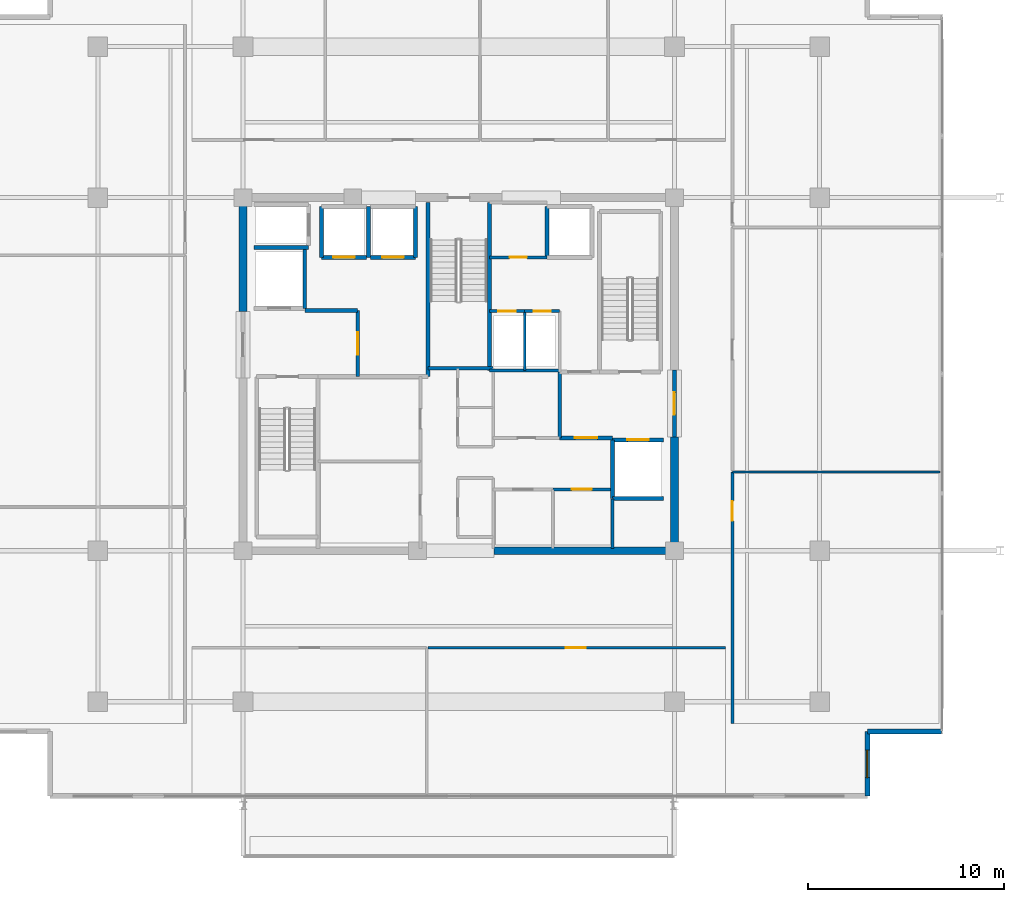
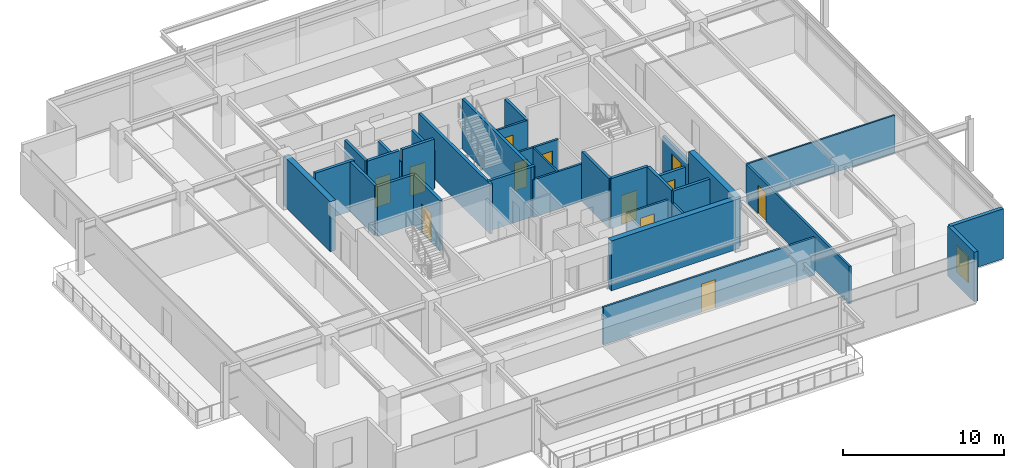
# One storey, part 15 of 21: 34 walls, 12 doors, 1 window, 13 openings.
"""IFC4 building model written with IfcOpenShell, lengths in metres."""

from ifc_helpers import new_model, si_unit, direction, frame, frame_2d, origin, place, context, subcontext, project, spatial, rectangle, extrude, material, layer, layer_set, type_object, element, fill, save


model = new_model("IFC4")

# Units and contexts
model_context = context("Model", 3, precision=1e-05, world=origin(), true_north=direction((0.0, 1.0)))
body_context = subcontext(model_context, "Body", "Model", "MODEL_VIEW")
ifc_project = project(units=[si_unit("LENGTHUNIT", "METRE"), si_unit("AREAUNIT", "SQUARE_METRE"), si_unit("VOLUMEUNIT", "CUBIC_METRE"), si_unit("PLANEANGLEUNIT", "RADIAN"), si_unit("MASSUNIT", "GRAM", prefix="KILO")], contexts=[model_context])

# Site, building, storey
site_placement = place(None, origin())
site = spatial("IfcSite", under=ifc_project, at=site_placement, CompositionType="ELEMENT")
building_placement = place(site_placement, origin())
building = spatial("IfcBuilding", under=site, at=building_placement, Name="Kovane Verandah Tower", CompositionType="ELEMENT")
storey_placement = place(building_placement, frame((0.0, 0.0, 314.800048828125)))
storey = spatial("IfcBuildingStorey", under=building, at=storey_placement, Name="L73", CompositionType="ELEMENT", Elevation=314.800048828125)

# Walls
ifc_material_1 = material(Name="Fire-Rated Gypsum Stud Partition", Category="gypsum")
ifc_layer_1 = layer(ifc_material_1, 0.14990234375)
ifc_layer_set_1 = layer_set([ifc_layer_1], Name="Fire-Rated Gypsum Stud Partition")
wall_type_1 = type_object("IfcWallType", Name="WL-COR-150", PredefinedType="PARTITIONING", material=ifc_layer_set_1)
wall_1_placement = place(storey_placement, frame((41.56005859375, 27.679931640625, 0.0), z_axis=(0.0, 0.0, 1.0), x_axis=(1.0, 0.0, 0.0)))
element("IfcWall", 1, at=wall_1_placement, inside=storey, type_object=wall_type_1, Name="L73 East Core Service Riser South Wall", PredefinedType="PARTITIONING", context=body_context, shape_type="SweptSolid", body=[
    extrude(rectangle(XDim=3.58984375, YDim=0.14990234375, at=frame_2d((1.794921875, 0.0))), origin(), (0.0, 0.0, 1.0), 2.849853515625),
])
wall_2_placement = place(storey_placement, frame((47.85009765625, 18.60009765625, 0.0), z_axis=(0.0, 0.0, 1.0), x_axis=(0.0, 1.0, 0.0)))
element("IfcWall", 2, at=wall_2_placement, inside=storey, type_object=wall_type_1, Name="L73 East Core Support East Wall", PredefinedType="PARTITIONING", context=body_context, shape_type="SweptSolid", body=[
    extrude(rectangle(XDim=2.539794921875, YDim=0.14990234375, at=frame_2d((1.27001953125, 0.0))), origin(), (0.0, 0.0, 1.0), 2.849853515625),
])

# Wall, opening, door
wall_3_placement = place(storey_placement, frame((44.800048828125, 21.6201171875, 0.0), z_axis=(0.0, 0.0, 1.0), x_axis=(1.0, 0.0, 0.0)))
wall_3 = element("IfcWall", 3, at=wall_3_placement, inside=storey, type_object=wall_type_1, Name="L73 East IT Server Room Partition", PredefinedType="PARTITIONING", context=body_context, shape_type="SweptSolid", body=[
    extrude(rectangle(XDim=2.93994140625, YDim=0.14990234375, at=frame_2d((1.469970703125, 0.0))), origin(), (0.0, 0.0, 1.0), 2.849853515625),
])
opening_1_placement = place(wall_3_placement, frame((0.969970703125, 0.0, 0.0)))
opening_1 = element("IfcOpeningElement", 4, at=opening_1_placement, cuts=wall_3, Name="Opening DR-L73-017", PredefinedType="OPENING", context=body_context, shape_type="SweptSolid", body=[
    extrude(rectangle(XDim=1.0, YDim=2.14990234375, at=frame_2d((0.5, 1.074951171875))), frame((0.0, 0.074951171875, 0.0), z_axis=(0.0, -1.0, 0.0), x_axis=(1.0, 0.0, 0.0)), (0.0, 0.0, 1.0), 0.14990234375),
])
ifc_material_2 = material(Name="FSC Spotted-Gum Timber Fire-Rated Office Door", Category="wood")
door_type_1 = type_object("IfcDoorType", Name="DR-OFF-1000", OperationType="SINGLE_SWING_LEFT", PredefinedType="DOOR", material=ifc_material_2)
door_1_placement = place(opening_1_placement, origin())
door_1 = element("IfcDoor", 5, at=door_1_placement, inside=storey, type_object=door_type_1, Name="L73 East IT Server Room Door", OperationType="SINGLE_SWING_LEFT", OverallHeight=2.14990234375, OverallWidth=1.0, PredefinedType="DOOR", context=body_context, shape_type="SweptSolid", body=[
    extrude(rectangle(XDim=1.0, YDim=2.14990234375, at=frame_2d((0.5, 1.074951171875))), frame((0.0, 0.02490234375, 0.0), z_axis=(0.0, -1.0, 0.0), x_axis=(1.0, 0.0, 0.0)), (0.0, 0.0, 1.0), 0.050048828125),
])
fill(opening_1, door_1)

wall_4_placement = place(storey_placement, frame((41.56005859375, 30.719970703125, 0.0), z_axis=(0.0, 0.0, 1.0), x_axis=(1.0, 0.0, 0.0)))
wall_4 = element("IfcWall", 6, at=wall_4_placement, inside=storey, type_object=wall_type_1, Name="L73 Chilled Water Riser Room Partition", PredefinedType="PARTITIONING", context=body_context, shape_type="SweptSolid", body=[
    extrude(rectangle(XDim=1.800048828125, YDim=0.14990234375, at=frame_2d((0.89990234375, 0.0))), origin(), (0.0, 0.0, 1.0), 2.849853515625),
])
opening_2_placement = place(wall_4_placement, frame((0.4599609375, 0.0, 0.0)))
opening_2 = element("IfcOpeningElement", 7, at=opening_2_placement, cuts=wall_4, Name="Opening DR-L73-020", PredefinedType="OPENING", context=body_context, shape_type="SweptSolid", body=[
    extrude(rectangle(XDim=0.8798828125, YDim=2.10009765625, at=frame_2d((0.43994140625, 1.050048828125))), frame((0.0, 0.074951171875, 0.0), z_axis=(0.0, -1.0, 0.0), x_axis=(1.0, 0.0, 0.0)), (0.0, 0.0, 1.0), 0.14990234375),
])
ifc_material_3 = material(Name="Fire-Rated Steel Riser Access Door", Category="steel")
door_type_2 = type_object("IfcDoorType", Name="DR-RISER-880", OperationType="SINGLE_SWING_LEFT", PredefinedType="DOOR", material=ifc_material_3)
door_2_placement = place(opening_2_placement, origin())
door_2 = element("IfcDoor", 8, at=door_2_placement, inside=storey, type_object=door_type_2, Name="L73 Chilled Water Riser Room Door", OperationType="SINGLE_SWING_LEFT", OverallHeight=2.10009765625, OverallWidth=0.8798828125, PredefinedType="DOOR", context=body_context, shape_type="SweptSolid", body=[
    extrude(rectangle(XDim=0.8798828125, YDim=2.10009765625, at=frame_2d((0.43994140625, 1.050048828125))), frame((0.0, 0.02490234375, 0.0), z_axis=(0.0, -1.0, 0.0), x_axis=(1.0, 0.0, 0.0)), (0.0, 0.0, 1.0), 0.050048828125),
])
fill(opening_2, door_2)

wall_5_placement = place(storey_placement, frame((43.360107421875, 30.719970703125, 0.0), z_axis=(0.0, 0.0, 1.0), x_axis=(1.0, 0.0, 0.0)))
wall_5 = element("IfcWall", 9, at=wall_5_placement, inside=storey, type_object=wall_type_1, Name="L73 Smoke Extract Duct Room Partition", PredefinedType="PARTITIONING", context=body_context, shape_type="SweptSolid", body=[
    extrude(rectangle(XDim=1.789794921875, YDim=0.14990234375, at=frame_2d((0.89501953125, 0.0))), origin(), (0.0, 0.0, 1.0), 2.849853515625),
])
opening_3_placement = place(wall_5_placement, frame((0.455078125, 0.0, 0.0)))
opening_3 = element("IfcOpeningElement", 10, at=opening_3_placement, cuts=wall_5, Name="Opening DR-L73-021", PredefinedType="OPENING", context=body_context, shape_type="SweptSolid", body=[
    extrude(rectangle(XDim=0.8798828125, YDim=2.10009765625, at=frame_2d((0.43994140625, 1.050048828125))), frame((0.0, 0.074951171875, 0.0), z_axis=(0.0, -1.0, 0.0), x_axis=(1.0, 0.0, 0.0)), (0.0, 0.0, 1.0), 0.14990234375),
])
door_3_placement = place(opening_3_placement, origin())
door_3 = element("IfcDoor", 11, at=door_3_placement, inside=storey, type_object=door_type_2, Name="L73 Smoke Extract Duct Room Door", OperationType="SINGLE_SWING_RIGHT", OverallHeight=2.10009765625, OverallWidth=0.8798828125, PredefinedType="DOOR", context=body_context, shape_type="SweptSolid", body=[
    extrude(rectangle(XDim=0.8798828125, YDim=2.10009765625, at=frame_2d((0.43994140625, 1.050048828125))), frame((0.0, 0.02490234375, 0.0), z_axis=(0.0, -1.0, 0.0), x_axis=(1.0, 0.0, 0.0)), (0.0, 0.0, 1.0), 0.050048828125),
])
fill(opening_3, door_3)

wall_6_placement = place(storey_placement, frame((41.56005859375, 33.449951171875, 0.0), z_axis=(0.0, 0.0, 1.0), x_axis=(1.0, 0.0, 0.0)))
wall_6 = element("IfcWall", 12, at=wall_6_placement, inside=storey, type_object=wall_type_1, Name="L73 Sky Telecom Riser Room Partition", PredefinedType="PARTITIONING", context=body_context, shape_type="SweptSolid", body=[
    extrude(rectangle(XDim=2.93994140625, YDim=0.14990234375, at=frame_2d((1.469970703125, 0.0))), origin(), (0.0, 0.0, 1.0), 2.849853515625),
])
opening_4_placement = place(wall_6_placement, frame((1.030029296875, 0.0, 0.0)))
opening_4 = element("IfcOpeningElement", 13, at=opening_4_placement, cuts=wall_6, Name="Opening DR-L73-019", PredefinedType="OPENING", context=body_context, shape_type="SweptSolid", body=[
    extrude(rectangle(XDim=0.8798828125, YDim=2.10009765625, at=frame_2d((0.43994140625, 1.050048828125))), frame((0.0, 0.074951171875, 0.0), z_axis=(0.0, -1.0, 0.0), x_axis=(1.0, 0.0, 0.0)), (0.0, 0.0, 1.0), 0.14990234375),
])
door_4_placement = place(opening_4_placement, origin())
door_4 = element("IfcDoor", 14, at=door_4_placement, inside=storey, type_object=door_type_2, Name="L73 Sky Telecom Riser Room Door", OperationType="SINGLE_SWING_LEFT", OverallHeight=2.10009765625, OverallWidth=0.8798828125, PredefinedType="DOOR", context=body_context, shape_type="SweptSolid", body=[
    extrude(rectangle(XDim=0.8798828125, YDim=2.10009765625, at=frame_2d((0.43994140625, 1.050048828125))), frame((0.0, 0.02490234375, 0.0), z_axis=(0.0, -1.0, 0.0), x_axis=(1.0, 0.0, 0.0)), (0.0, 0.0, 1.0), 0.050048828125),
])
fill(opening_4, door_4)

wall_7_placement = place(storey_placement, frame((38.43798828125, 13.550048828125, 0.0), z_axis=(0.0, 0.0, 1.0), x_axis=(1.0, 0.0, 0.0)))
wall_7 = element("IfcWall", 15, at=wall_7_placement, inside=storey, type_object=wall_type_1, Name="L73 Document and Print Room S2 Corridor Partition", PredefinedType="PARTITIONING", context=body_context, shape_type="SweptSolid", body=[
    extrude(rectangle(XDim=15.162109375, YDim=0.14990234375, at=frame_2d((7.5810546875, 0.0))), origin(), (0.0, 0.0, 1.0), 2.849853515625),
])
opening_5_placement = place(wall_7_placement, frame((7.031005859375, 0.0, 0.0)))
opening_5 = element("IfcOpeningElement", 16, at=opening_5_placement, cuts=wall_7, Name="Opening DR-L73-027", PredefinedType="OPENING", context=body_context, shape_type="SweptSolid", body=[
    extrude(rectangle(XDim=1.0, YDim=2.14990234375, at=frame_2d((0.5, 1.074951171875))), frame((0.0, 0.074951171875, 0.0), z_axis=(0.0, -1.0, 0.0), x_axis=(1.0, 0.0, 0.0)), (0.0, 0.0, 1.0), 0.14990234375),
])
door_5_placement = place(opening_5_placement, origin())
door_5 = element("IfcDoor", 17, at=door_5_placement, inside=storey, type_object=door_type_1, Name="L73 Document and Print Room S2 Entrance Door", OperationType="SINGLE_SWING_LEFT", OverallHeight=2.14990234375, OverallWidth=1.0, PredefinedType="DOOR", context=body_context, shape_type="SweptSolid", body=[
    extrude(rectangle(XDim=1.0, YDim=2.14990234375, at=frame_2d((0.5, 1.074951171875))), frame((0.0, 0.02490234375, 0.0), z_axis=(0.0, -1.0, 0.0), x_axis=(1.0, 0.0, 0.0)), (0.0, 0.0, 1.0), 0.050048828125),
])
fill(opening_5, door_5)

wall_8_placement = place(storey_placement, frame((53.949951171875, 9.681884765625, 0.0), z_axis=(0.0, 0.0, 1.0), x_axis=(0.0, 1.0, 0.0)))
wall_8 = element("IfcWall", 18, at=wall_8_placement, inside=storey, type_object=wall_type_1, Name="L73 Meeting Room E1 Corridor Partition", PredefinedType="PARTITIONING", context=body_context, shape_type="SweptSolid", body=[
    extrude(rectangle(XDim=12.8291015625, YDim=0.14990234375, at=frame_2d((6.41455078125, 0.0))), origin(), (0.0, 0.0, 1.0), 2.849853515625),
])
opening_6_placement = place(wall_8_placement, frame((10.338623046875, 0.0, 0.0)))
opening_6 = element("IfcOpeningElement", 19, at=opening_6_placement, cuts=wall_8, Name="Opening DR-L73-011", PredefinedType="OPENING", context=body_context, shape_type="SweptSolid", body=[
    extrude(rectangle(XDim=1.0, YDim=2.14990234375, at=frame_2d((0.5, 1.074951171875))), frame((0.0, 0.074951171875, 0.0), z_axis=(0.0, -1.0, 0.0), x_axis=(1.0, 0.0, 0.0)), (0.0, 0.0, 1.0), 0.14990234375),
])
door_6_placement = place(opening_6_placement, origin())
door_6 = element("IfcDoor", 20, at=door_6_placement, inside=storey, type_object=door_type_1, Name="L73 Meeting Room E1 Entrance Door", OperationType="SINGLE_SWING_LEFT", OverallHeight=2.14990234375, OverallWidth=1.0, PredefinedType="DOOR", context=body_context, shape_type="SweptSolid", body=[
    extrude(rectangle(XDim=1.0, YDim=2.14990234375, at=frame_2d((0.5, 1.074951171875))), frame((0.0, 0.02490234375, 0.0), z_axis=(0.0, -1.0, 0.0), x_axis=(1.0, 0.0, 0.0)), (0.0, 0.0, 1.0), 0.050048828125),
])
fill(opening_6, door_6)

# Walls
ifc_material_4 = material(Name="Concrete C60/75", Category="concrete")
ifc_layer_2 = layer(ifc_material_4, 0.39990234375)
ifc_layer_set_2 = layer_set([ifc_layer_2], Name="Concrete C60/75")
wall_type_2 = type_object("IfcWallType", Name="WL-CORE-400", PredefinedType="SHEAR", material=ifc_layer_set_2)
wall_9_placement = place(storey_placement, frame((41.800048828125, 18.5, 0.0), z_axis=(0.0, 0.0, 1.0), x_axis=(1.0, 0.0, 0.0)))
element("IfcWall", 21, at=wall_9_placement, inside=storey, type_object=wall_type_2, Name="L73 Core Shear Wall CS-2", PredefinedType="SHEAR", context=body_context, shape_type="SweptSolid", body=[
    extrude(rectangle(XDim=9.199951171875, YDim=0.39990234375, at=frame_2d((4.60009765625, 0.0))), origin(), (0.0, 0.0, 1.0), 3.784912109375),
])
for number, where, z_axis, x_axis, name in (
    (22, (29.0, 30.699951171875, 0.0), (0.0, 0.0, 1.0), (0.0, 1.0, 0.0), "L73 Core Shear Wall CW-2"),
    (23, (51.0, 18.5, 0.0), (0.0, 0.0, 1.0), (0.0, 1.0, 0.0), "L73 Core Shear Wall CE-1"),
):
    element("IfcWall", number, at=place(storey_placement, frame(where, z_axis=z_axis, x_axis=x_axis)), inside=storey, type_object=wall_type_2, Name=name, PredefinedType="SHEAR", context=body_context, shape_type="SweptSolid", body=[
        extrude(rectangle(XDim=5.800048828125, YDim=0.39990234375, at=frame_2d((2.89990234375, 0.0))), origin(), (0.0, 0.0, 1.0), 3.784912109375),
    ])

# Wall, opening, door
ifc_material_5 = material(Name="Concrete C45/55 Fire Wall", Category="concrete")
ifc_layer_3 = layer(ifc_material_5, 0.199951171875)
ifc_layer_set_3 = layer_set([ifc_layer_3], Name="Concrete C45/55 Fire Wall")
wall_type_3 = type_object("IfcWallType", Name="WL-FFL-200", PredefinedType="PARTITIONING", material=ifc_layer_set_3)
wall_10_placement = place(storey_placement, frame((34.85009765625, 27.3798828125, 0.0), z_axis=(0.0, 0.0, 1.0), x_axis=(0.0, 1.0, 0.0)))
wall_10 = element("IfcWall", 24, at=wall_10_placement, inside=storey, type_object=wall_type_3, Name="W-L73-FFLW-E", PredefinedType="PARTITIONING", context=body_context, shape_type="SweptSolid", body=[
    extrude(rectangle(XDim=3.3701171875, YDim=0.199951171875, at=frame_2d((1.68505859375, 0.0))), origin(), (0.0, 0.0, 1.0), 3.784912109375),
])
opening_7_placement = place(wall_10_placement, frame((1.110107421875, 0.0, 0.0)))
opening_7 = element("IfcOpeningElement", 25, at=opening_7_placement, cuts=wall_10, Name="Opening DR-L73-006", PredefinedType="OPENING", context=body_context, shape_type="SweptSolid", body=[
    extrude(rectangle(XDim=1.14990234375, YDim=2.199951171875, at=frame_2d((0.574951171875, 1.10009765625))), frame((0.0, 0.10009765625, 0.0), z_axis=(0.0, -1.0, 0.0), x_axis=(1.0, 0.0, 0.0)), (0.0, 0.0, 1.0), 0.199951171875),
])
ifc_material_6 = material(Name="Smoke-Sealed Firefighting Lobby Door", Category="steel")
door_type_3 = type_object("IfcDoorType", Name="DR-FFL-1150", OperationType="SINGLE_SWING_LEFT", PredefinedType="DOOR", material=ifc_material_6)
door_7_placement = place(opening_7_placement, origin())
door_7 = element("IfcDoor", 26, at=door_7_placement, inside=storey, type_object=door_type_3, Name="L73 West Firefighting Lobby Inner Door", OperationType="SINGLE_SWING_LEFT", OverallHeight=2.199951171875, OverallWidth=1.14990234375, PredefinedType="DOOR", context=body_context, shape_type="SweptSolid", body=[
    extrude(rectangle(XDim=1.14990234375, YDim=2.199951171875, at=frame_2d((0.574951171875, 1.10009765625))), frame((0.0, 0.02490234375, 0.0), z_axis=(0.0, -1.0, 0.0), x_axis=(1.0, 0.0, 0.0)), (0.0, 0.0, 1.0), 0.050048828125),
])
fill(opening_7, door_7)

# Walls
wall_11_placement = place(storey_placement, frame((32.14990234375, 30.75, 0.0), z_axis=(0.0, 0.0, 1.0), x_axis=(1.0, 0.0, 0.0)))
element("IfcWall", 27, at=wall_11_placement, inside=storey, type_object=wall_type_3, Name="L73 West Firefighting Lobby North Fire Wall", PredefinedType="PARTITIONING", context=body_context, shape_type="SweptSolid", body=[
    extrude(rectangle(XDim=2.7001953125, YDim=0.199951171875, at=frame_2d((1.35009765625, 0.0))), origin(), (0.0, 0.0, 1.0), 3.784912109375),
])
wall_12_placement = place(storey_placement, frame((45.14990234375, 24.25, 0.0), z_axis=(0.0, 0.0, 1.0), x_axis=(0.0, 1.0, 0.0)))
element("IfcWall", 28, at=wall_12_placement, inside=storey, type_object=wall_type_3, Name="L73 East Firefighting Lobby West Fire Wall", PredefinedType="PARTITIONING", context=body_context, shape_type="SweptSolid", body=[
    extrude(rectangle(XDim=3.3701171875, YDim=0.199951171875, at=frame_2d((1.68505859375, 0.0))), origin(), (0.0, 0.0, 1.0), 3.784912109375),
])

# Wall, opening, door
wall_13_placement = place(storey_placement, frame((45.14990234375, 24.25, 0.0), z_axis=(0.0, 0.0, 1.0), x_axis=(1.0, 0.0, 0.0)))
wall_13 = element("IfcWall", 29, at=wall_13_placement, inside=storey, type_object=wall_type_3, Name="W-L73-FFLE-S", PredefinedType="PARTITIONING", context=body_context, shape_type="SweptSolid", body=[
    extrude(rectangle(XDim=2.7001953125, YDim=0.199951171875, at=frame_2d((1.35009765625, 0.0))), origin(), (0.0, 0.0, 1.0), 3.784912109375),
])
opening_8_placement = place(wall_13_placement, frame((0.77490234375, 0.0, 0.0)))
opening_8 = element("IfcOpeningElement", 30, at=opening_8_placement, cuts=wall_13, Name="Opening DR-L73-003", PredefinedType="OPENING", context=body_context, shape_type="SweptSolid", body=[
    extrude(rectangle(XDim=1.14990234375, YDim=2.199951171875, at=frame_2d((0.574951171875, 1.10009765625))), frame((0.0, 0.10009765625, 0.0), z_axis=(0.0, -1.0, 0.0), x_axis=(1.0, 0.0, 0.0)), (0.0, 0.0, 1.0), 0.199951171875),
])
door_8_placement = place(opening_8_placement, origin())
door_8 = element("IfcDoor", 31, at=door_8_placement, inside=storey, type_object=door_type_3, Name="L73 East Firefighting Lobby Inner Door", OperationType="SINGLE_SWING_RIGHT", OverallHeight=2.199951171875, OverallWidth=1.14990234375, PredefinedType="DOOR", context=body_context, shape_type="SweptSolid", body=[
    extrude(rectangle(XDim=1.14990234375, YDim=2.199951171875, at=frame_2d((0.574951171875, 1.10009765625))), frame((0.0, 0.02490234375, 0.0), z_axis=(0.0, -1.0, 0.0), x_axis=(1.0, 0.0, 0.0)), (0.0, 0.0, 1.0), 0.050048828125),
])
fill(opening_8, door_8)

wall_14_placement = place(storey_placement, frame((51.0, 24.300048828125, 0.0), z_axis=(0.0, 0.0, 1.0), x_axis=(0.0, 1.0, 0.0)))
wall_14 = element("IfcWall", 32, at=wall_14_placement, inside=storey, type_object=wall_type_3, Name="W-L73-FFLE-OUT", PredefinedType="PARTITIONING", context=body_context, shape_type="SweptSolid", body=[
    extrude(rectangle(XDim=3.39990234375, YDim=0.199951171875, at=frame_2d((1.699951171875, 0.0))), origin(), (0.0, 0.0, 1.0), 2.864990234375),
])
opening_9_placement = place(wall_14_placement, frame((1.125, 0.0, 0.0)))
opening_9 = element("IfcOpeningElement", 33, at=opening_9_placement, cuts=wall_14, Name="Opening DR-L73-005", PredefinedType="OPENING", context=body_context, shape_type="SweptSolid", body=[
    extrude(rectangle(XDim=1.14990234375, YDim=2.199951171875, at=frame_2d((0.574951171875, 1.10009765625))), frame((0.0, 0.10009765625, 0.0), z_axis=(0.0, -1.0, 0.0), x_axis=(1.0, 0.0, 0.0)), (0.0, 0.0, 1.0), 0.199951171875),
])
door_9_placement = place(opening_9_placement, origin())
door_9 = element("IfcDoor", 34, at=door_9_placement, inside=storey, type_object=door_type_3, Name="L73 East Firefighting Lobby Corridor Door", OperationType="SINGLE_SWING_LEFT", OverallHeight=2.199951171875, OverallWidth=1.14990234375, PredefinedType="DOOR", context=body_context, shape_type="SweptSolid", body=[
    extrude(rectangle(XDim=1.14990234375, YDim=2.199951171875, at=frame_2d((0.574951171875, 1.10009765625))), frame((0.0, 0.02490234375, 0.0), z_axis=(0.0, -1.0, 0.0), x_axis=(1.0, 0.0, 0.0)), (0.0, 0.0, 1.0), 0.050048828125),
])
fill(opening_9, door_9)

# Walls
ifc_material_7 = material(Name="Concrete C45/55 Lift Shaft Wall", Category="concrete")
ifc_layer_4 = layer(ifc_material_7, 0.199951171875)
ifc_layer_set_4 = layer_set([ifc_layer_4], Name="Concrete C45/55 Lift Shaft Wall")
wall_type_4 = type_object("IfcWallType", Name="WL-LIFT-200", PredefinedType="SOLIDWALL", material=ifc_layer_set_4)
wall_15_placement = place(storey_placement, frame((29.550048828125, 33.949951171875, 0.0), z_axis=(0.0, 0.0, 1.0), x_axis=(1.0, 0.0, 0.0)))
element("IfcWall", 35, at=wall_15_placement, inside=storey, type_object=wall_type_4, Name="L73 Lift FL-01 and GL-01 Shared Shaft Wall", PredefinedType="SOLIDWALL", context=body_context, shape_type="SweptSolid", body=[
    extrude(rectangle(XDim=2.800048828125, YDim=0.199951171875, at=frame_2d((1.39990234375, 0.0))), origin(), (0.0, 0.0, 1.0), 3.784912109375),
])
wall_16_placement = place(storey_placement, frame((32.14990234375, 30.85009765625, 0.0), z_axis=(0.0, 0.0, 1.0), x_axis=(0.0, 1.0, 0.0)))
element("IfcWall", 36, at=wall_16_placement, inside=storey, type_object=wall_type_4, Name="L73 Lift FL-01 E Shaft Wall", PredefinedType="SOLIDWALL", context=body_context, shape_type="SweptSolid", body=[
    extrude(rectangle(XDim=3.0, YDim=0.199951171875, at=frame_2d((1.5, 0.0))), origin(), (0.0, 0.0, 1.0), 3.784912109375),
])
wall_17_placement = place(storey_placement, frame((47.85009765625, 21.14990234375, 0.0), z_axis=(0.0, 0.0, 1.0), x_axis=(1.0, 0.0, 0.0)))
element("IfcWall", 37, at=wall_17_placement, inside=storey, type_object=wall_type_4, Name="L73 Lift FL-02 S Shaft Wall", PredefinedType="SOLIDWALL", context=body_context, shape_type="SweptSolid", body=[
    extrude(rectangle(XDim=2.599853515625, YDim=0.199951171875, at=frame_2d((1.2998046875, 0.0))), origin(), (0.0, 0.0, 1.0), 3.784912109375),
])

# Wall, opening, door
wall_18_placement = place(storey_placement, frame((50.449951171875, 24.14990234375, 0.0), z_axis=(0.0, 0.0, 1.0), x_axis=(-1.0, 0.0, 0.0)))
wall_18 = element("IfcWall", 38, at=wall_18_placement, inside=storey, type_object=wall_type_4, Name="L73 Lift FL-02 N Shaft Wall", PredefinedType="SOLIDWALL", context=body_context, shape_type="SweptSolid", body=[
    extrude(rectangle(XDim=2.599853515625, YDim=0.199951171875, at=frame_2d((1.2998046875, 0.0))), origin(), (0.0, 0.0, 1.0), 2.864990234375),
])
opening_10_placement = place(wall_18_placement, frame((0.75, 0.0, 0.0)))
opening_10 = element("IfcOpeningElement", 39, at=opening_10_placement, cuts=wall_18, Name="Opening LD-L73-002", PredefinedType="OPENING", context=body_context, shape_type="SweptSolid", body=[
    extrude(rectangle(XDim=1.10009765625, YDim=2.199951171875, at=frame_2d((0.550048828125, 1.10009765625))), frame((0.0, 0.10009765625, 0.0), z_axis=(0.0, -1.0, 0.0), x_axis=(1.0, 0.0, 0.0)), (0.0, 0.0, 1.0), 0.199951171875),
])
ifc_material_8 = material(Name="Brushed Stainless Steel Sliding Lift Landing Door", Category="steel")
door_type_4 = type_object("IfcDoorType", Name="DR-LIFT-1100", OperationType="SLIDING_TO_RIGHT", PredefinedType="DOOR", material=ifc_material_8)
door_10_placement = place(opening_10_placement, origin())
door_10 = element("IfcDoor", 40, at=door_10_placement, inside=storey, type_object=door_type_4, Name="L73 Lift FL-02 Sliding Landing Door", OperationType="SLIDING_TO_RIGHT", OverallHeight=2.199951171875, OverallWidth=1.10009765625, PredefinedType="DOOR", context=body_context, shape_type="SweptSolid", body=[
    extrude(rectangle(XDim=1.10009765625, YDim=2.199951171875, at=frame_2d((0.550048828125, 1.10009765625))), frame((0.0, 0.02490234375, 0.0), z_axis=(0.0, -1.0, 0.0), x_axis=(1.0, 0.0, 0.0)), (0.0, 0.0, 1.0), 0.050048828125),
])
fill(opening_10, door_10)

# Wall
wall_19_placement = place(storey_placement, frame((47.85009765625, 24.14990234375, 0.0), z_axis=(0.0, 0.0, 1.0), x_axis=(0.0, -1.0, 0.0)))
element("IfcWall", 41, at=wall_19_placement, inside=storey, type_object=wall_type_4, Name="L73 Lift FL-02 W Shaft Wall", PredefinedType="SOLIDWALL", context=body_context, shape_type="SweptSolid", body=[
    extrude(rectangle(XDim=3.0, YDim=0.199951171875, at=frame_2d((1.5, 0.0))), origin(), (0.0, 0.0, 1.0), 3.784912109375),
])

# Wall, opening, door
wall_20_placement = place(storey_placement, frame((33.0, 33.449951171875, 0.0), z_axis=(0.0, 0.0, 1.0), x_axis=(1.0, 0.0, 0.0)))
wall_20 = element("IfcWall", 42, at=wall_20_placement, inside=storey, type_object=wall_type_4, Name="L73 Lift PL-H1 S Shaft Wall", PredefinedType="SOLIDWALL", context=body_context, shape_type="SweptSolid", body=[
    extrude(rectangle(XDim=2.300048828125, YDim=0.199951171875, at=frame_2d((1.14990234375, 0.0))), origin(), (0.0, 0.0, 1.0), 3.784912109375),
])
opening_11_placement = place(wall_20_placement, frame((0.60009765625, 0.0, 0.0)))
opening_11 = element("IfcOpeningElement", 43, at=opening_11_placement, cuts=wall_20, Name="Opening LD-L73-004", PredefinedType="OPENING", context=body_context, shape_type="SweptSolid", body=[
    extrude(rectangle(XDim=1.10009765625, YDim=2.199951171875, at=frame_2d((0.550048828125, 1.10009765625))), frame((0.0, 0.10009765625, 0.0), z_axis=(0.0, -1.0, 0.0), x_axis=(1.0, 0.0, 0.0)), (0.0, 0.0, 1.0), 0.199951171875),
])
door_11_placement = place(opening_11_placement, origin())
door_11 = element("IfcDoor", 44, at=door_11_placement, inside=storey, type_object=door_type_4, Name="L73 Lift PL-H1 Sliding Landing Door", OperationType="SLIDING_TO_RIGHT", OverallHeight=2.199951171875, OverallWidth=1.10009765625, PredefinedType="DOOR", context=body_context, shape_type="SweptSolid", body=[
    extrude(rectangle(XDim=1.10009765625, YDim=2.199951171875, at=frame_2d((0.550048828125, 1.10009765625))), frame((0.0, 0.02490234375, 0.0), z_axis=(0.0, -1.0, 0.0), x_axis=(1.0, 0.0, 0.0)), (0.0, 0.0, 1.0), 0.050048828125),
])
fill(opening_11, door_11)

# Walls
wall_21_placement = place(storey_placement, frame((33.0, 36.050048828125, 0.0), z_axis=(0.0, 0.0, 1.0), x_axis=(0.0, -1.0, 0.0)))
element("IfcWall", 45, at=wall_21_placement, inside=storey, type_object=wall_type_4, Name="L73 Lift PL-H1 W Shaft Wall", PredefinedType="SOLIDWALL", context=body_context, shape_type="SweptSolid", body=[
    extrude(rectangle(XDim=2.60009765625, YDim=0.199951171875, at=frame_2d((1.300048828125, 0.0))), origin(), (0.0, 0.0, 1.0), 3.784912109375),
])
wall_22_placement = place(storey_placement, frame((35.39990234375, 33.449951171875, 0.0), z_axis=(0.0, 0.0, 1.0), x_axis=(0.0, 1.0, 0.0)))
element("IfcWall", 46, at=wall_22_placement, inside=storey, type_object=wall_type_4, Name="L73 Lift PL-H1 and PL-H2 Shared Shaft Wall", PredefinedType="SOLIDWALL", context=body_context, shape_type="SweptSolid", body=[
    extrude(rectangle(XDim=2.60009765625, YDim=0.199951171875, at=frame_2d((1.300048828125, 0.0))), origin(), (0.0, 0.0, 1.0), 2.864990234375),
])

# Wall, opening, door
wall_23_placement = place(storey_placement, frame((35.5, 33.449951171875, 0.0), z_axis=(0.0, 0.0, 1.0), x_axis=(1.0, 0.0, 0.0)))
wall_23 = element("IfcWall", 47, at=wall_23_placement, inside=storey, type_object=wall_type_4, Name="L73 Lift PL-H2 S Shaft Wall", PredefinedType="SOLIDWALL", context=body_context, shape_type="SweptSolid", body=[
    extrude(rectangle(XDim=2.300048828125, YDim=0.199951171875, at=frame_2d((1.14990234375, 0.0))), origin(), (0.0, 0.0, 1.0), 3.784912109375),
])
opening_12_placement = place(wall_23_placement, frame((0.60009765625, 0.0, 0.0)))
opening_12 = element("IfcOpeningElement", 48, at=opening_12_placement, cuts=wall_23, Name="Opening LD-L73-005", PredefinedType="OPENING", context=body_context, shape_type="SweptSolid", body=[
    extrude(rectangle(XDim=1.10009765625, YDim=2.199951171875, at=frame_2d((0.550048828125, 1.10009765625))), frame((0.0, 0.10009765625, 0.0), z_axis=(0.0, -1.0, 0.0), x_axis=(1.0, 0.0, 0.0)), (0.0, 0.0, 1.0), 0.199951171875),
])
door_12_placement = place(opening_12_placement, origin())
door_12 = element("IfcDoor", 49, at=door_12_placement, inside=storey, type_object=door_type_4, Name="L73 Lift PL-H2 Sliding Landing Door", OperationType="SLIDING_TO_RIGHT", OverallHeight=2.199951171875, OverallWidth=1.10009765625, PredefinedType="DOOR", context=body_context, shape_type="SweptSolid", body=[
    extrude(rectangle(XDim=1.10009765625, YDim=2.199951171875, at=frame_2d((0.550048828125, 1.10009765625))), frame((0.0, 0.02490234375, 0.0), z_axis=(0.0, -1.0, 0.0), x_axis=(1.0, 0.0, 0.0)), (0.0, 0.0, 1.0), 0.050048828125),
])
fill(opening_12, door_12)

# Walls
for number, where, z_axis, x_axis, name in (
    (50, (37.800048828125, 33.449951171875, 0.0), (0.0, 0.0, 1.0), (0.0, 1.0, 0.0), "L73 Lift PL-H2 E Shaft Wall"),
    (51, (44.5, 36.050048828125, 0.0), (0.0, 0.0, 1.0), (0.0, -1.0, 0.0), "L73 Lift OL-01 W Shaft Wall"),
):
    element("IfcWall", number, at=place(storey_placement, frame(where, z_axis=z_axis, x_axis=x_axis)), inside=storey, type_object=wall_type_4, Name=name, PredefinedType="SOLIDWALL", context=body_context, shape_type="SweptSolid", body=[
        extrude(rectangle(XDim=2.60009765625, YDim=0.199951171875, at=frame_2d((1.300048828125, 0.0))), origin(), (0.0, 0.0, 1.0), 2.864990234375),
    ])
ifc_material_9 = material(Name="Acoustic Fire-Rated Gypsum Partition", Category="gypsum")
ifc_layer_5 = layer(ifc_material_9, 0.1201171875)
ifc_layer_set_5 = layer_set([ifc_layer_5], Name="Acoustic Fire-Rated Gypsum Partition")
wall_type_5 = type_object("IfcWallType", Name="WL-PART-120", PredefinedType="PARTITIONING", material=ifc_layer_set_5)
wall_24_placement = place(storey_placement, frame((43.360107421875, 27.679931640625, 0.0), z_axis=(0.0, 0.0, 1.0), x_axis=(0.0, 1.0, 0.0)))
element("IfcWall", 52, at=wall_24_placement, inside=storey, type_object=wall_type_5, Name="L73 Service Riser Dividing Partition", PredefinedType="PARTITIONING", context=body_context, shape_type="SweptSolid", body=[
    extrude(rectangle(XDim=3.0400390625, YDim=0.1201171875, at=frame_2d((1.52001953125, 0.0))), origin(), (0.0, 0.0, 1.0), 2.849853515625),
])
wall_25_placement = place(storey_placement, frame((53.949951171875, 22.510986328125, 0.0), z_axis=(0.0, 0.0, 1.0), x_axis=(1.0, 0.0, 0.0)))
element("IfcWall", 53, at=wall_25_placement, inside=storey, type_object=wall_type_5, Name="L73 Meeting Room E1 Dividing Partition", PredefinedType="PARTITIONING", context=body_context, shape_type="SweptSolid", body=[
    extrude(rectangle(XDim=10.58642578125, YDim=0.1201171875, at=frame_2d((5.293212890625, 0.0))), origin(), (0.0, 0.0, 1.0), 2.849853515625),
])
ifc_material_10 = material(Name="Concrete C45/55", Category="concrete")
ifc_layer_6 = layer(ifc_material_10, 0.199951171875)
ifc_layer_set_6 = layer_set([ifc_layer_6], Name="Concrete C45/55")
wall_type_6 = type_object("IfcWallType", Name="WL-SHAFT-200", PredefinedType="SOLIDWALL", material=ifc_layer_set_6)
wall_26_placement = place(storey_placement, frame((38.43994140625, 27.3798828125, 0.0), z_axis=(0.0, 0.0, 1.0), x_axis=(0.0, 1.0, 0.0)))
element("IfcWall", 54, at=wall_26_placement, inside=storey, type_object=wall_type_6, Name="W-L73-ST03-W", PredefinedType="SOLIDWALL", context=body_context, shape_type="SweptSolid", body=[
    extrude(rectangle(XDim=8.8701171875, YDim=0.199951171875, at=frame_2d((4.43505859375, 0.0))), origin(), (0.0, 0.0, 1.0), 3.784912109375),
])
wall_27_placement = place(storey_placement, frame((41.56005859375, 27.679931640625, 0.0), z_axis=(0.0, 0.0, 1.0), x_axis=(0.0, 1.0, 0.0)))
element("IfcWall", 55, at=wall_27_placement, inside=storey, type_object=wall_type_6, Name="W-L73-ST03-E", PredefinedType="SOLIDWALL", context=body_context, shape_type="SweptSolid", body=[
    extrude(rectangle(XDim=8.570068359375, YDim=0.199951171875, at=frame_2d((4.28515625, 0.0))), origin(), (0.0, 0.0, 1.0), 3.784912109375),
])
wall_28_placement = place(storey_placement, frame((38.43994140625, 27.800048828125, 0.0), z_axis=(0.0, 0.0, 1.0), x_axis=(1.0, 0.0, 0.0)))
element("IfcWall", 56, at=wall_28_placement, inside=storey, type_object=wall_type_6, Name="W-L73-ST03-S", PredefinedType="SOLIDWALL", context=body_context, shape_type="SweptSolid", body=[
    extrude(rectangle(XDim=3.320068359375, YDim=0.199951171875, at=frame_2d((1.66015625, 0.0))), origin(), (0.0, 0.0, 1.0), 3.784912109375),
])

# Wall, opening, window
ifc_material_11 = material(Name="Concrete C45/55 Insulated Spandrel Wall", Category="concrete")
ifc_layer_7 = layer(ifc_material_11, 0.260009765625)
ifc_layer_set_7 = layer_set([ifc_layer_7], Name="Concrete C45/55 Insulated Spandrel Wall")
wall_type_7 = type_object("IfcWallType", Name="WL-SPANDREL-260", PredefinedType="PARAPET", material=ifc_layer_set_7)
wall_29_placement = place(storey_placement, frame((60.83642578125, 5.981689453125, 0.0), z_axis=(0.0, 0.0, 1.0), x_axis=(0.0, 1.0, 0.0)))
wall_29 = element("IfcWall", 57, at=wall_29_placement, inside=storey, type_object=wall_type_7, Name="L73 SE Notch Cheek Wall 1", PredefinedType="PARAPET", context=body_context, shape_type="SweptSolid", body=[
    extrude(rectangle(XDim=3.300048828125, YDim=0.260009765625, at=frame_2d((1.64990234375, 0.0))), origin(), (0.0, 0.0, 1.0), 3.784912109375),
])
opening_13_placement = place(wall_29_placement, frame((0.949951171875, 0.0, 0.85009765625)))
opening_13 = element("IfcOpeningElement", 58, at=opening_13_placement, cuts=wall_29, Name="Opening W-01", PredefinedType="OPENING", context=body_context, shape_type="SweptSolid", body=[
    extrude(rectangle(XDim=1.39990234375, YDim=2.0, at=frame_2d((0.699951171875, 1.0))), frame((0.0, 0.1298828125, 0.0), z_axis=(0.0, -1.0, 0.0), x_axis=(1.0, 0.0, 0.0)), (0.0, 0.0, 1.0), 0.260009765625),
])
ifc_material_12 = material(Name="Clear Low-E Laminated Double Glazing in Anodised Frame", Category="glass")
window_type = type_object("IfcWindowType", Name="WN-OPER-1400x2000", PartitioningType="SINGLE_PANEL", PredefinedType="WINDOW", material=ifc_material_12)
window_placement = place(opening_13_placement, origin())
window = element("IfcWindow", 59, at=window_placement, inside=storey, type_object=window_type, Name="L73 SE Re-Entrant Corner Operable Window", OverallHeight=2.0, OverallWidth=1.39990234375, PartitioningType="SINGLE_PANEL", PredefinedType="WINDOW", context=body_context, shape_type="SweptSolid", body=[
    extrude(rectangle(XDim=1.39990234375, YDim=2.0, at=frame_2d((0.699951171875, 1.0))), frame((0.0, 0.030029296875, 0.0), z_axis=(0.0, -1.0, 0.0), x_axis=(1.0, 0.0, 0.0)), (0.0, 0.0, 1.0), 0.06005859375),
])
fill(opening_13, window)

# Wall
wall_30_placement = place(storey_placement, frame((60.83642578125, 9.28173828125, 0.0), z_axis=(0.0, 0.0, 1.0), x_axis=(1.0, 0.0, 0.0)))
element("IfcWall", 60, at=wall_30_placement, inside=storey, type_object=wall_type_7, Name="L73 SE Notch Cheek Wall 2", PredefinedType="PARAPET", context=body_context, shape_type="SweptSolid", body=[
    extrude(rectangle(XDim=3.800048828125, YDim=0.260009765625, at=frame_2d((1.89990234375, 0.0))), origin(), (0.0, 0.0, 1.0), 3.784912109375),
])

save(model, "model.ifc")
